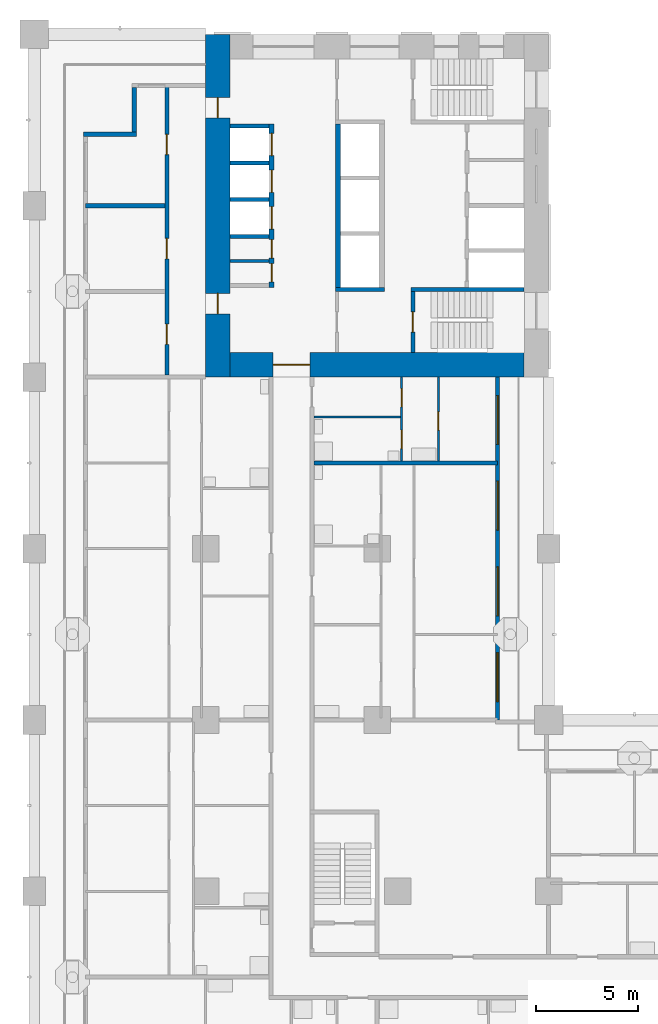
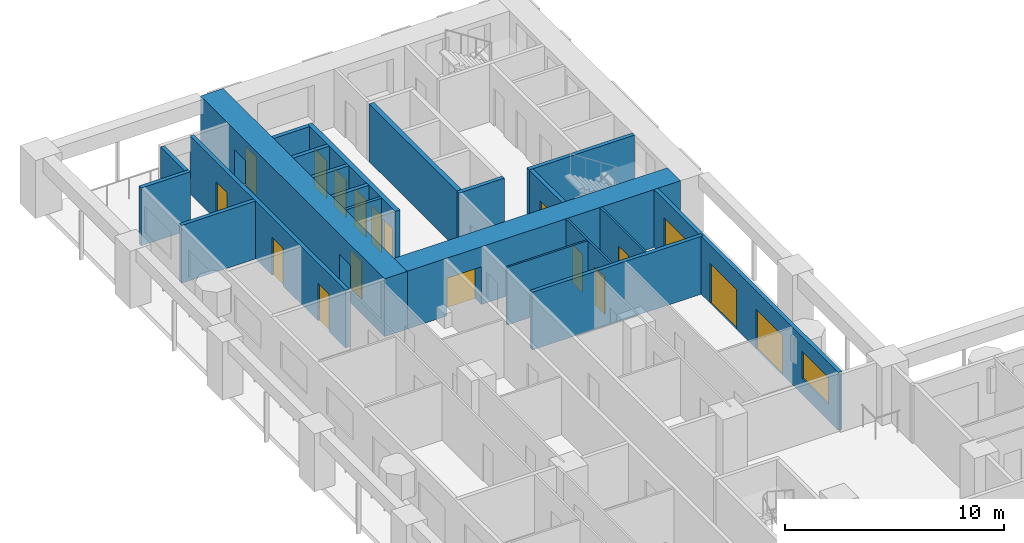
# One storey, part 8 of 20: 21 walls, 18 doors, 1 window, 19 openings.
"""IFC4 building model written with IfcOpenShell, lengths in metres."""

from ifc_helpers import new_model, si_unit, direction, frame, frame_2d, origin, place, context, subcontext, project, spatial, rectangle, extrude, material, layer, layer_set, type_object, element, fill, save


model = new_model("IFC4")

# Units and contexts
model_context = context("Model", 3, precision=1e-05, world=origin(), true_north=direction((0.0, 1.0)))
body_context = subcontext(model_context, "Body", "Model", "MODEL_VIEW")
ifc_project = project(units=[si_unit("LENGTHUNIT", "METRE"), si_unit("AREAUNIT", "SQUARE_METRE"), si_unit("VOLUMEUNIT", "CUBIC_METRE"), si_unit("PLANEANGLEUNIT", "RADIAN"), si_unit("MASSUNIT", "GRAM", prefix="KILO")], contexts=[model_context])

# Site, building, storey
site_placement = place(None, origin())
site = spatial("IfcSite", under=ifc_project, at=site_placement, CompositionType="ELEMENT")
building_placement = place(site_placement, origin())
building = spatial("IfcBuilding", under=site, at=building_placement, Name="Vermilion Gate Residences", CompositionType="ELEMENT")
storey_placement = place(building_placement, frame((0.0, 0.0, 39.199951171875)))
storey = spatial("IfcBuildingStorey", under=building, at=storey_placement, Name="L08", CompositionType="ELEMENT", Elevation=39.199951171875)

# Walls
ifc_material_1 = material(Name="Masonry blockwork", Category="masonry")
ifc_layer_1 = layer(ifc_material_1, 0.14990234375)
ifc_layer_set_1 = layer_set([ifc_layer_1], Name="BLOCKWORK PARTITION 150 EI 120")
wall_type_1 = type_object("IfcWallType", Name="BLOCKWORK PARTITION 150 EI 120", PredefinedType="PARTITIONING", material=ifc_layer_set_1)
wall_1_placement = place(storey_placement, frame((9.60009765625, 47.699951171875, 0.0), z_axis=(0.0, 0.0, 1.0), x_axis=(1.0, 0.0, 0.0)))
element("IfcWall", 1, at=wall_1_placement, inside=storey, type_object=wall_type_1, Name="Core room partition B08-SR-P0", PredefinedType="PARTITIONING", context=body_context, shape_type="SweptSolid", body=[
    extrude(rectangle(XDim=1.89990234375, YDim=0.14990234375, at=frame_2d((0.949951171875, 0.0))), origin(), (0.0, 0.0, 1.0), 3.219970703125),
])
ifc_material_2 = material(Name="Insulated steel stud wall with terracotta rainscreen", Category="masonry")
ifc_layer_2 = layer(ifc_material_2, 0.199951171875)
ifc_layer_set_2 = layer_set([ifc_layer_2], Name="EXTERNAL WALL 200 TERRACOTTA RAINSCREEN")
wall_type_2 = type_object("IfcWallType", Name="EXTERNAL WALL 200 TERRACOTTA RAINSCREEN", PredefinedType="SOLIDWALL", material=ifc_layer_set_2)
wall_2_placement = place(storey_placement, frame((4.89990234375, 56.199951171875, 0.0), z_axis=(0.0, 0.0, 1.0), x_axis=(0.0, -1.0, 0.0)))
element("IfcWall", 2, at=wall_2_placement, inside=storey, type_object=wall_type_2, Name="External wall", PredefinedType="SOLIDWALL", context=body_context, shape_type="SweptSolid", body=[
    extrude(rectangle(XDim=2.199951171875, YDim=0.199951171875, at=frame_2d((1.10009765625, 0.0))), origin(), (0.0, 0.0, 1.0), 3.219970703125),
])
wall_3_placement = place(storey_placement, frame((5.0, 53.89990234375, 0.0), z_axis=(0.0, 0.0, 1.0), x_axis=(-1.0, 0.0, 0.0)))
element("IfcWall", 3, at=wall_3_placement, inside=storey, type_object=wall_type_2, Name="External wall", PredefinedType="SOLIDWALL", context=body_context, shape_type="SweptSolid", body=[
    extrude(rectangle(XDim=2.60009765625, YDim=0.199951171875, at=frame_2d((1.300048828125, 0.0))), origin(), (0.0, 0.0, 1.0), 3.219970703125),
])

# Wall, openings, doors, window
wall_4_placement = place(storey_placement, frame((22.699951171875, 25.199951171875, 0.0), z_axis=(0.0, 0.0, 1.0), x_axis=(0.0, 1.0, 0.0)))
wall_4 = element("IfcWall", 4, at=wall_4_placement, inside=storey, type_object=wall_type_2, Name="External wall", PredefinedType="SOLIDWALL", context=body_context, shape_type="SweptSolid", body=[
    extrude(rectangle(XDim=16.800048828125, YDim=0.199951171875, at=frame_2d((8.39990234375, 0.0))), origin(), (0.0, 0.0, 1.0), 3.219970703125),
])
opening_1_placement = place(wall_4_placement, frame((0.89990234375, 0.0, 0.89990234375)))
opening_1 = element("IfcOpeningElement", 5, at=opening_1_placement, cuts=wall_4, Name="Opening WE08037", PredefinedType="OPENING", context=body_context, shape_type="SweptSolid", body=[
    extrude(rectangle(XDim=2.39990234375, YDim=1.5, at=frame_2d((1.199951171875, 0.75))), frame((0.0, 0.10986328125, 0.0), z_axis=(0.0, -1.0, 0.0), x_axis=(1.0, 0.0, 0.0)), (0.0, 0.0, 1.0), 0.219970703125),
])
opening_2_placement = place(wall_4_placement, frame((5.10009765625, 0.0, 0.0)))
opening_2 = element("IfcOpeningElement", 6, at=opening_2_placement, cuts=wall_4, Name="Opening DE08038", PredefinedType="OPENING", context=body_context, shape_type="SweptSolid", body=[
    extrude(rectangle(XDim=2.39990234375, YDim=2.199951171875, at=frame_2d((1.199951171875, 1.10009765625))), frame((0.0, 0.10986328125, 0.0), z_axis=(0.0, -1.0, 0.0), x_axis=(1.0, 0.0, 0.0)), (0.0, 0.0, 1.0), 0.219970703125),
])
opening_3_placement = place(wall_4_placement, frame((9.300048828125, 0.0, 0.0)))
opening_3 = element("IfcOpeningElement", 7, at=opening_3_placement, cuts=wall_4, Name="Opening DE08039", PredefinedType="OPENING", context=body_context, shape_type="SweptSolid", body=[
    extrude(rectangle(XDim=2.39990234375, YDim=2.199951171875, at=frame_2d((1.199951171875, 1.10009765625))), frame((0.0, 0.10986328125, 0.0), z_axis=(0.0, -1.0, 0.0), x_axis=(1.0, 0.0, 0.0)), (0.0, 0.0, 1.0), 0.219970703125),
])
opening_4_placement = place(wall_4_placement, frame((13.5, 0.0, 0.0)))
opening_4 = element("IfcOpeningElement", 8, at=opening_4_placement, cuts=wall_4, Name="Opening DE08040", PredefinedType="OPENING", context=body_context, shape_type="SweptSolid", body=[
    extrude(rectangle(XDim=2.39990234375, YDim=2.199951171875, at=frame_2d((1.199951171875, 1.10009765625))), frame((0.0, 0.10986328125, 0.0), z_axis=(0.0, -1.0, 0.0), x_axis=(1.0, 0.0, 0.0)), (0.0, 0.0, 1.0), 0.219970703125),
])
ifc_material_3 = material(Name="Aluminium and clear glass", Category="aluminium")
door_type_1 = type_object("IfcDoorType", Name="SLIDING GLAZED DOOR 2400 X 2200", OperationType="DOUBLE_DOOR_SLIDING", PredefinedType="DOOR", material=ifc_material_3)
door_1_placement = place(opening_2_placement, origin())
door_1 = element("IfcDoor", 9, at=door_1_placement, inside=storey, type_object=door_type_1, Name="Loggia sliding door", OperationType="DOUBLE_DOOR_SLIDING", OverallHeight=2.199951171875, OverallWidth=2.39990234375, PredefinedType="DOOR", context=body_context, shape_type="SweptSolid", body=[
    extrude(rectangle(XDim=2.39990234375, YDim=2.199951171875, at=frame_2d((1.199951171875, 1.10009765625))), frame((0.0, 0.02490234375, 0.0), z_axis=(0.0, -1.0, 0.0), x_axis=(1.0, 0.0, 0.0)), (0.0, 0.0, 1.0), 0.050048828125),
])
fill(opening_2, door_1)
door_2_placement = place(opening_3_placement, origin())
door_2 = element("IfcDoor", 10, at=door_2_placement, inside=storey, type_object=door_type_1, Name="Loggia sliding door", OperationType="DOUBLE_DOOR_SLIDING", OverallHeight=2.199951171875, OverallWidth=2.39990234375, PredefinedType="DOOR", context=body_context, shape_type="SweptSolid", body=[
    extrude(rectangle(XDim=2.39990234375, YDim=2.199951171875, at=frame_2d((1.199951171875, 1.10009765625))), frame((0.0, 0.02490234375, 0.0), z_axis=(0.0, -1.0, 0.0), x_axis=(1.0, 0.0, 0.0)), (0.0, 0.0, 1.0), 0.050048828125),
])
fill(opening_3, door_2)
door_3_placement = place(opening_4_placement, origin())
door_3 = element("IfcDoor", 11, at=door_3_placement, inside=storey, type_object=door_type_1, Name="Loggia sliding door", OperationType="DOUBLE_DOOR_SLIDING", OverallHeight=2.199951171875, OverallWidth=2.39990234375, PredefinedType="DOOR", context=body_context, shape_type="SweptSolid", body=[
    extrude(rectangle(XDim=2.39990234375, YDim=2.199951171875, at=frame_2d((1.199951171875, 1.10009765625))), frame((0.0, 0.02490234375, 0.0), z_axis=(0.0, -1.0, 0.0), x_axis=(1.0, 0.0, 0.0)), (0.0, 0.0, 1.0), 0.050048828125),
])
fill(opening_4, door_3)
ifc_material_4 = material(Name="Aluminium and clear glass", Category="aluminium")
window_type = type_object("IfcWindowType", Name="WINDOW 2400 X 1500", PartitioningType="SINGLE_PANEL", PredefinedType="WINDOW", material=ifc_material_4)
window_placement = place(opening_1_placement, origin())
window = element("IfcWindow", 12, at=window_placement, inside=storey, type_object=window_type, Name="Window", OverallHeight=1.5, OverallWidth=2.39990234375, PartitioningType="SINGLE_PANEL", PredefinedType="WINDOW", context=body_context, shape_type="SweptSolid", body=[
    extrude(rectangle(XDim=2.39990234375, YDim=1.5, at=frame_2d((1.199951171875, 0.75))), frame((0.0, 0.030029296875, 0.0), z_axis=(0.0, -1.0, 0.0), x_axis=(1.0, 0.0, 0.0)), (0.0, 0.0, 1.0), 0.06005859375),
])
fill(opening_1, window)

# Wall
ifc_material_5 = material(Name="Plasterboard on steel studs", Category="steel")
ifc_layer_3 = layer(ifc_material_5, 0.10009765625)
ifc_layer_set_3 = layer_set([ifc_layer_3], Name="PARTITION 100")
wall_type_3 = type_object("IfcWallType", Name="PARTITION 100", PredefinedType="PARTITIONING", material=ifc_layer_set_3)
wall_5_placement = place(storey_placement, frame((13.699951171875, 40.0400390625, 0.0), z_axis=(0.0, 0.0, 1.0), x_axis=(1.0, 0.0, 0.0)))
element("IfcWall", 13, at=wall_5_placement, inside=storey, type_object=wall_type_3, Name="Partition", PredefinedType="PARTITIONING", context=body_context, shape_type="SweptSolid", body=[
    extrude(rectangle(XDim=4.25, YDim=0.10009765625, at=frame_2d((2.125, 0.0))), origin(), (0.0, 0.0, 1.0), 3.219970703125),
])

# Wall, openings, doors
wall_6_placement = place(storey_placement, frame((18.0, 37.89990234375, 0.0), z_axis=(0.0, 0.0, 1.0), x_axis=(0.0, 1.0, 0.0)))
wall_6 = element("IfcWall", 14, at=wall_6_placement, inside=storey, type_object=wall_type_3, Name="Partition", PredefinedType="PARTITIONING", context=body_context, shape_type="SweptSolid", body=[
    extrude(rectangle(XDim=4.10009765625, YDim=0.10009765625, at=frame_2d((2.050048828125, 0.0))), origin(), (0.0, 0.0, 1.0), 3.219970703125),
])
opening_5_placement = place(wall_6_placement, frame((2.639892578125, 0.0, 0.0)))
opening_5 = element("IfcOpeningElement", 15, at=opening_5_placement, cuts=wall_6, Name="Opening DA07060", PredefinedType="OPENING", context=body_context, shape_type="SweptSolid", body=[
    extrude(rectangle(XDim=0.89990234375, YDim=2.10009765625, at=frame_2d((0.449951171875, 1.050048828125))), frame((0.0, 0.06005859375, 0.0), z_axis=(0.0, -1.0, 0.0), x_axis=(1.0, 0.0, 0.0)), (0.0, 0.0, 1.0), 0.1201171875),
])
opening_6_placement = place(wall_6_placement, frame((0.60009765625, 0.0, 0.0)))
opening_6 = element("IfcOpeningElement", 16, at=opening_6_placement, cuts=wall_6, Name="Opening DA07061", PredefinedType="OPENING", context=body_context, shape_type="SweptSolid", body=[
    extrude(rectangle(XDim=0.89990234375, YDim=2.10009765625, at=frame_2d((0.449951171875, 1.050048828125))), frame((0.0, 0.06005859375, 0.0), z_axis=(0.0, -1.0, 0.0), x_axis=(1.0, 0.0, 0.0)), (0.0, 0.0, 1.0), 0.1201171875),
])
ifc_material_6 = material(Name="Timber", Category="wood")
door_type_2 = type_object("IfcDoorType", Name="INTERIOR DOOR 900 X 2100", OperationType="SINGLE_SWING_LEFT", PredefinedType="DOOR", material=ifc_material_6)
door_4_placement = place(opening_5_placement, frame((0.89990234375, 0.0, 0.0), z_axis=(0.0, 0.0, 1.0), x_axis=(-1.0, 0.0, 0.0)))
door_4 = element("IfcDoor", 17, at=door_4_placement, inside=storey, type_object=door_type_2, Name="Interior door", OperationType="SINGLE_SWING_LEFT", OverallHeight=2.10009765625, OverallWidth=0.89990234375, PredefinedType="DOOR", context=body_context, shape_type="SweptSolid", body=[
    extrude(rectangle(XDim=0.89990234375, YDim=2.10009765625, at=frame_2d((0.449951171875, 1.050048828125))), frame((0.0, 0.02490234375, 0.0), z_axis=(0.0, -1.0, 0.0), x_axis=(1.0, 0.0, 0.0)), (0.0, 0.0, 1.0), 0.050048828125),
])
fill(opening_5, door_4)
door_5_placement = place(opening_6_placement, frame((0.89990234375, 0.0, 0.0), z_axis=(0.0, 0.0, 1.0), x_axis=(-1.0, 0.0, 0.0)))
door_5 = element("IfcDoor", 18, at=door_5_placement, inside=storey, type_object=door_type_2, Name="Interior door", OperationType="SINGLE_SWING_RIGHT", OverallHeight=2.10009765625, OverallWidth=0.89990234375, PredefinedType="DOOR", context=body_context, shape_type="SweptSolid", body=[
    extrude(rectangle(XDim=0.89990234375, YDim=2.10009765625, at=frame_2d((0.449951171875, 1.050048828125))), frame((0.0, 0.02490234375, 0.0), z_axis=(0.0, -1.0, 0.0), x_axis=(1.0, 0.0, 0.0)), (0.0, 0.0, 1.0), 0.050048828125),
])
fill(opening_6, door_5)

# Wall, opening, door
wall_7_placement = place(storey_placement, frame((19.800048828125, 37.89990234375, 0.0), z_axis=(0.0, 0.0, 1.0), x_axis=(0.0, 1.0, 0.0)))
wall_7 = element("IfcWall", 19, at=wall_7_placement, inside=storey, type_object=wall_type_3, Name="Partition", PredefinedType="PARTITIONING", context=body_context, shape_type="SweptSolid", body=[
    extrude(rectangle(XDim=4.10009765625, YDim=0.10009765625, at=frame_2d((2.050048828125, 0.0))), origin(), (0.0, 0.0, 1.0), 3.219970703125),
])
opening_7_placement = place(wall_7_placement, frame((1.5, 0.0, 0.0)))
opening_7 = element("IfcOpeningElement", 20, at=opening_7_placement, cuts=wall_7, Name="Opening DA07064", PredefinedType="OPENING", context=body_context, shape_type="SweptSolid", body=[
    extrude(rectangle(XDim=0.89990234375, YDim=2.10009765625, at=frame_2d((0.449951171875, 1.050048828125))), frame((0.0, 0.06005859375, 0.0), z_axis=(0.0, -1.0, 0.0), x_axis=(1.0, 0.0, 0.0)), (0.0, 0.0, 1.0), 0.1201171875),
])
door_6_placement = place(opening_7_placement, origin())
door_6 = element("IfcDoor", 21, at=door_6_placement, inside=storey, type_object=door_type_2, Name="Interior door", OperationType="SINGLE_SWING_LEFT", OverallHeight=2.10009765625, OverallWidth=0.89990234375, PredefinedType="DOOR", context=body_context, shape_type="SweptSolid", body=[
    extrude(rectangle(XDim=0.89990234375, YDim=2.10009765625, at=frame_2d((0.449951171875, 1.050048828125))), frame((0.0, 0.02490234375, 0.0), z_axis=(0.0, -1.0, 0.0), x_axis=(1.0, 0.0, 0.0)), (0.0, 0.0, 1.0), 0.050048828125),
])
fill(opening_7, door_6)

# Walls
ifc_material_7 = material(Name="Fire-rated plasterboard on steel studs", Category="steel")
ifc_layer_4 = layer(ifc_material_7, 0.199951171875)
ifc_layer_set_4 = layer_set([ifc_layer_4], Name="PARTY WALL 200 EI 120")
wall_type_4 = type_object("IfcWallType", Name="PARTY WALL 200 EI 120", PredefinedType="PARTITIONING", material=ifc_layer_set_4)
wall_8_placement = place(storey_placement, frame((13.699951171875, 37.800048828125, 0.0), z_axis=(0.0, 0.0, 1.0), x_axis=(1.0, 0.0, 0.0)))
element("IfcWall", 22, at=wall_8_placement, inside=storey, type_object=wall_type_4, Name="Party and corridor wall", PredefinedType="PARTITIONING", context=body_context, shape_type="SweptSolid", body=[
    extrude(rectangle(XDim=9.0, YDim=0.199951171875, at=frame_2d((4.5, 0.0))), origin(), (0.0, 0.0, 1.0), 3.219970703125),
])
wall_9_placement = place(storey_placement, frame((2.5, 50.39990234375, 0.0), z_axis=(0.0, 0.0, 1.0), x_axis=(1.0, 0.0, 0.0)))
element("IfcWall", 23, at=wall_9_placement, inside=storey, type_object=wall_type_4, Name="Party and corridor wall", PredefinedType="PARTITIONING", context=body_context, shape_type="SweptSolid", body=[
    extrude(rectangle(XDim=3.89990234375, YDim=0.199951171875, at=frame_2d((1.949951171875, 0.0))), origin(), (0.0, 0.0, 1.0), 3.219970703125),
])

# Wall, openings, doors
wall_10_placement = place(storey_placement, frame((6.5, 42.10009765625, 0.0), z_axis=(0.0, 0.0, 1.0), x_axis=(0.0, 1.0, 0.0)))
wall_10 = element("IfcWall", 24, at=wall_10_placement, inside=storey, type_object=wall_type_4, Name="Party and corridor wall", PredefinedType="PARTITIONING", context=body_context, shape_type="SweptSolid", body=[
    extrude(rectangle(XDim=14.199951171875, YDim=0.199951171875, at=frame_2d((7.10009765625, 0.0))), origin(), (0.0, 0.0, 1.0), 3.219970703125),
])
opening_8_placement = place(wall_10_placement, frame((1.5, 0.0, 0.0)))
opening_8 = element("IfcOpeningElement", 25, at=opening_8_placement, cuts=wall_10, Name="Opening DA07036", PredefinedType="OPENING", context=body_context, shape_type="SweptSolid", body=[
    extrude(rectangle(XDim=1.0, YDim=2.10009765625, at=frame_2d((0.5, 1.050048828125))), frame((0.0, 0.10986328125, 0.0), z_axis=(0.0, -1.0, 0.0), x_axis=(1.0, 0.0, 0.0)), (0.0, 0.0, 1.0), 0.219970703125),
])
opening_9_placement = place(wall_10_placement, frame((5.699951171875, 0.0, 0.0)))
opening_9 = element("IfcOpeningElement", 26, at=opening_9_placement, cuts=wall_10, Name="Opening DA07037", PredefinedType="OPENING", context=body_context, shape_type="SweptSolid", body=[
    extrude(rectangle(XDim=1.0, YDim=2.10009765625, at=frame_2d((0.5, 1.050048828125))), frame((0.0, 0.10986328125, 0.0), z_axis=(0.0, -1.0, 0.0), x_axis=(1.0, 0.0, 0.0)), (0.0, 0.0, 1.0), 0.219970703125),
])
opening_10_placement = place(wall_10_placement, frame((10.800048828125, 0.0, 0.0)))
opening_10 = element("IfcOpeningElement", 27, at=opening_10_placement, cuts=wall_10, Name="Opening DA07038", PredefinedType="OPENING", context=body_context, shape_type="SweptSolid", body=[
    extrude(rectangle(XDim=1.0, YDim=2.10009765625, at=frame_2d((0.5, 1.050048828125))), frame((0.0, 0.10986328125, 0.0), z_axis=(0.0, -1.0, 0.0), x_axis=(1.0, 0.0, 0.0)), (0.0, 0.0, 1.0), 0.219970703125),
])
ifc_material_8 = material(Name="Steel", Category="steel")
door_type_3 = type_object("IfcDoorType", Name="ENTRANCE DOOR 1000 X 2100 FD30", OperationType="SINGLE_SWING_LEFT", PredefinedType="DOOR", material=ifc_material_8)
door_7_placement = place(opening_8_placement, origin())
door_7 = element("IfcDoor", 28, at=door_7_placement, inside=storey, type_object=door_type_3, Name="Entrance door", OperationType="SINGLE_SWING_LEFT", OverallHeight=2.10009765625, OverallWidth=1.0, PredefinedType="DOOR", context=body_context, shape_type="SweptSolid", body=[
    extrude(rectangle(XDim=1.0, YDim=2.10009765625, at=frame_2d((0.5, 1.050048828125))), frame((0.0, 0.02490234375, 0.0), z_axis=(0.0, -1.0, 0.0), x_axis=(1.0, 0.0, 0.0)), (0.0, 0.0, 1.0), 0.050048828125),
])
fill(opening_8, door_7)
door_8_placement = place(opening_9_placement, origin())
door_8 = element("IfcDoor", 29, at=door_8_placement, inside=storey, type_object=door_type_3, Name="Entrance door", OperationType="SINGLE_SWING_RIGHT", OverallHeight=2.10009765625, OverallWidth=1.0, PredefinedType="DOOR", context=body_context, shape_type="SweptSolid", body=[
    extrude(rectangle(XDim=1.0, YDim=2.10009765625, at=frame_2d((0.5, 1.050048828125))), frame((0.0, 0.02490234375, 0.0), z_axis=(0.0, -1.0, 0.0), x_axis=(1.0, 0.0, 0.0)), (0.0, 0.0, 1.0), 0.050048828125),
])
fill(opening_9, door_8)
door_9_placement = place(opening_10_placement, origin())
door_9 = element("IfcDoor", 30, at=door_9_placement, inside=storey, type_object=door_type_3, Name="Entrance door", OperationType="SINGLE_SWING_RIGHT", OverallHeight=2.10009765625, OverallWidth=1.0, PredefinedType="DOOR", context=body_context, shape_type="SweptSolid", body=[
    extrude(rectangle(XDim=1.0, YDim=2.10009765625, at=frame_2d((0.5, 1.050048828125))), frame((0.0, 0.02490234375, 0.0), z_axis=(0.0, -1.0, 0.0), x_axis=(1.0, 0.0, 0.0)), (0.0, 0.0, 1.0), 0.050048828125),
])
fill(opening_10, door_9)

# Walls
ifc_material_9 = material(Name="Concrete C60", Category="concrete")
ifc_layer_5 = layer(ifc_material_9, 0.199951171875)
ifc_layer_set_5 = layer_set([ifc_layer_5], Name="RC CORE INTERNAL WALL 200 C60")
wall_type_5 = type_object("IfcWallType", Name="RC CORE INTERNAL WALL 200 C60", PredefinedType="SHEAR", material=ifc_layer_set_5)
for number, where, z_axis, x_axis, name in (
    (31, (9.60009765625, 54.300048828125, 0.0), (0.0, 0.0, 1.0), (1.0, 0.0, 0.0), "Core internal wall B08-LR-D0"),
    (32, (9.60009765625, 52.5, 0.0), (0.0, 0.0, 1.0), (1.0, 0.0, 0.0), "Core internal wall B08-LR-D1"),
    (33, (9.60009765625, 50.699951171875, 0.0), (0.0, 0.0, 1.0), (1.0, 0.0, 0.0), "Core internal wall B08-LR-D2"),
    (34, (9.60009765625, 48.89990234375, 0.0), (0.0, 0.0, 1.0), (1.0, 0.0, 0.0), "Core internal wall B08-LR-D3"),
):
    element("IfcWall", number, at=place(storey_placement, frame(where, z_axis=z_axis, x_axis=x_axis)), inside=storey, type_object=wall_type_5, Name=name, PredefinedType="SHEAR", context=body_context, shape_type="SweptSolid", body=[
        extrude(rectangle(XDim=1.89990234375, YDim=0.199951171875, at=frame_2d((0.949951171875, 0.0))), origin(), (0.0, 0.0, 1.0), 3.219970703125),
    ])
wall_11_placement = place(storey_placement, frame((14.75, 46.300048828125, 0.0), z_axis=(0.0, 0.0, 1.0), x_axis=(1.0, 0.0, 0.0)))
element("IfcWall", 35, at=wall_11_placement, inside=storey, type_object=wall_type_5, Name="Core internal wall B08-EDIV1", PredefinedType="SHEAR", context=body_context, shape_type="SweptSolid", body=[
    extrude(rectangle(XDim=2.39990234375, YDim=0.199951171875, at=frame_2d((1.199951171875, 0.0))), origin(), (0.0, 0.0, 1.0), 3.219970703125),
])
wall_12_placement = place(storey_placement, frame((18.449951171875, 46.300048828125, 0.0), z_axis=(0.0, 0.0, 1.0), x_axis=(1.0, 0.0, 0.0)))
element("IfcWall", 36, at=wall_12_placement, inside=storey, type_object=wall_type_5, Name="Core internal wall B08-EDIV2", PredefinedType="SHEAR", context=body_context, shape_type="SweptSolid", body=[
    extrude(rectangle(XDim=5.550048828125, YDim=0.199951171875, at=frame_2d((2.77490234375, 0.0))), origin(), (0.0, 0.0, 1.0), 3.219970703125),
])

# Wall, opening, door
wall_13_placement = place(storey_placement, frame((18.550048828125, 46.199951171875, 0.0), z_axis=(0.0, 0.0, 1.0), x_axis=(0.0, -1.0, 0.0)))
wall_13 = element("IfcWall", 37, at=wall_13_placement, inside=storey, type_object=wall_type_5, Name="Core internal wall B08-STE-S", PredefinedType="SHEAR", context=body_context, shape_type="SweptSolid", body=[
    extrude(rectangle(XDim=3.0, YDim=0.199951171875, at=frame_2d((1.5, 0.0))), origin(), (0.0, 0.0, 1.0), 3.219970703125),
])
opening_11_placement = place(wall_13_placement, frame((1.0, 0.0, 0.0)))
opening_11 = element("IfcOpeningElement", 38, at=opening_11_placement, cuts=wall_13, Name="Opening DK08116", PredefinedType="OPENING", context=body_context, shape_type="SweptSolid", body=[
    extrude(rectangle(XDim=1.0, YDim=2.10009765625, at=frame_2d((0.5, 1.050048828125))), frame((0.0, 0.10986328125, 0.0), z_axis=(0.0, -1.0, 0.0), x_axis=(1.0, 0.0, 0.0)), (0.0, 0.0, 1.0), 0.219970703125),
])
ifc_material_10 = material(Name="Steel", Category="steel")
door_type_4 = type_object("IfcDoorType", Name="FIRE DOOR FD60 1000 X 2100", OperationType="SINGLE_SWING_LEFT", PredefinedType="DOOR", material=ifc_material_10)
door_10_placement = place(opening_11_placement, origin())
door_10 = element("IfcDoor", 39, at=door_10_placement, inside=storey, type_object=door_type_4, Name="Stair door B08", OperationType="SINGLE_SWING_LEFT", OverallHeight=2.10009765625, OverallWidth=1.0, PredefinedType="DOOR", context=body_context, shape_type="SweptSolid", body=[
    extrude(rectangle(XDim=1.0, YDim=2.10009765625, at=frame_2d((0.5, 1.050048828125))), frame((0.0, 0.02490234375, 0.0), z_axis=(0.0, -1.0, 0.0), x_axis=(1.0, 0.0, 0.0)), (0.0, 0.0, 1.0), 0.050048828125),
])
fill(opening_11, door_10)

# Wall, openings, doors
ifc_material_11 = material(Name="Concrete C80", Category="concrete")
ifc_layer_6 = layer(ifc_material_11, 1.199951171875)
ifc_layer_set_6 = layer_set([ifc_layer_6], Name="RC CORE WALL 1200 C80")
wall_type_6 = type_object("IfcWallType", Name="RC CORE WALL 1200 C80", PredefinedType="SHEAR", material=ifc_layer_set_6)
wall_14_placement = place(storey_placement, frame((9.0, 58.800048828125, 0.0), z_axis=(0.0, 0.0, 1.0), x_axis=(0.0, -1.0, 0.0)))
wall_14 = element("IfcWall", 40, at=wall_14_placement, inside=storey, type_object=wall_type_6, Name="Core wall B08-OUT-B0", PredefinedType="SHEAR", context=body_context, shape_type="SweptSolid", body=[
    extrude(rectangle(XDim=16.800048828125, YDim=1.199951171875, at=frame_2d((8.39990234375, 0.0))), origin(), (0.0, 0.0, 1.0), 3.219970703125),
])
opening_12_placement = place(wall_14_placement, frame((3.10009765625, 0.0, 0.0)))
opening_12 = element("IfcOpeningElement", 41, at=opening_12_placement, cuts=wall_14, Name="Opening DK08101", PredefinedType="OPENING", context=body_context, shape_type="SweptSolid", body=[
    extrude(rectangle(XDim=1.0, YDim=2.10009765625, at=frame_2d((0.5, 1.050048828125))), frame((0.0, 0.60986328125, 0.0), z_axis=(0.0, -1.0, 0.0), x_axis=(1.0, 0.0, 0.0)), (0.0, 0.0, 1.0), 1.219970703125),
])
opening_13_placement = place(wall_14_placement, frame((12.699951171875, 0.0, 0.0)))
opening_13 = element("IfcOpeningElement", 42, at=opening_13_placement, cuts=wall_14, Name="Opening DK08102", PredefinedType="OPENING", context=body_context, shape_type="SweptSolid", body=[
    extrude(rectangle(XDim=1.0, YDim=2.10009765625, at=frame_2d((0.5, 1.050048828125))), frame((0.0, 0.60986328125, 0.0), z_axis=(0.0, -1.0, 0.0), x_axis=(1.0, 0.0, 0.0)), (0.0, 0.0, 1.0), 1.219970703125),
])
door_11_placement = place(opening_12_placement, origin())
door_11 = element("IfcDoor", 43, at=door_11_placement, inside=storey, type_object=door_type_4, Name="Core lobby side door B08", OperationType="SINGLE_SWING_RIGHT", OverallHeight=2.10009765625, OverallWidth=1.0, PredefinedType="DOOR", context=body_context, shape_type="SweptSolid", body=[
    extrude(rectangle(XDim=1.0, YDim=2.10009765625, at=frame_2d((0.5, 1.050048828125))), frame((0.0, 0.02490234375, 0.0), z_axis=(0.0, -1.0, 0.0), x_axis=(1.0, 0.0, 0.0)), (0.0, 0.0, 1.0), 0.050048828125),
])
fill(opening_12, door_11)
door_12_placement = place(opening_13_placement, origin())
door_12 = element("IfcDoor", 44, at=door_12_placement, inside=storey, type_object=door_type_4, Name="Core lobby side door B08", OperationType="SINGLE_SWING_LEFT", OverallHeight=2.10009765625, OverallWidth=1.0, PredefinedType="DOOR", context=body_context, shape_type="SweptSolid", body=[
    extrude(rectangle(XDim=1.0, YDim=2.10009765625, at=frame_2d((0.5, 1.050048828125))), frame((0.0, 0.02490234375, 0.0), z_axis=(0.0, -1.0, 0.0), x_axis=(1.0, 0.0, 0.0)), (0.0, 0.0, 1.0), 0.050048828125),
])
fill(opening_13, door_12)

# Wall, opening, door
wall_15_placement = place(storey_placement, frame((9.60009765625, 42.60009765625, 0.0), z_axis=(0.0, 0.0, 1.0), x_axis=(1.0, 0.0, 0.0)))
wall_15 = element("IfcWall", 45, at=wall_15_placement, inside=storey, type_object=wall_type_6, Name="Core wall B08-OUT-BK", PredefinedType="SHEAR", context=body_context, shape_type="SweptSolid", body=[
    extrude(rectangle(XDim=14.39990234375, YDim=1.199951171875, at=frame_2d((7.199951171875, 0.0))), origin(), (0.0, 0.0, 1.0), 3.219970703125),
])
opening_14_placement = place(wall_15_placement, frame((2.10009765625, 0.0, 0.0)))
opening_14 = element("IfcOpeningElement", 46, at=opening_14_placement, cuts=wall_15, Name="Opening DK08103", PredefinedType="OPENING", context=body_context, shape_type="SweptSolid", body=[
    extrude(rectangle(XDim=1.800048828125, YDim=2.10009765625, at=frame_2d((0.89990234375, 1.050048828125))), frame((0.0, 0.60986328125, 0.0), z_axis=(0.0, -1.0, 0.0), x_axis=(1.0, 0.0, 0.0)), (0.0, 0.0, 1.0), 1.219970703125),
])
ifc_material_12 = material(Name="Steel", Category="steel")
door_type_5 = type_object("IfcDoorType", Name="CORE LOBBY DOOR FD60 1800 X 2100", OperationType="DOUBLE_DOOR_SINGLE_SWING", PredefinedType="DOOR", material=ifc_material_12)
door_13_placement = place(opening_14_placement, origin())
door_13 = element("IfcDoor", 47, at=door_13_placement, inside=storey, type_object=door_type_5, Name="Core lobby door B08", OperationType="DOUBLE_DOOR_SINGLE_SWING", OverallHeight=2.10009765625, OverallWidth=1.800048828125, PredefinedType="DOOR", context=body_context, shape_type="SweptSolid", body=[
    extrude(rectangle(XDim=1.800048828125, YDim=2.10009765625, at=frame_2d((0.89990234375, 1.050048828125))), frame((0.0, 0.02490234375, 0.0), z_axis=(0.0, -1.0, 0.0), x_axis=(1.0, 0.0, 0.0)), (0.0, 0.0, 1.0), 0.050048828125),
])
fill(opening_14, door_13)

# Wall, openings, doors
ifc_material_13 = material(Name="Concrete C60", Category="concrete")
ifc_layer_7 = layer(ifc_material_13, 0.25)
ifc_layer_set_7 = layer_set([ifc_layer_7], Name="RC LIFT SHAFT WALL 250 C60")
wall_type_7 = type_object("IfcWallType", Name="RC LIFT SHAFT WALL 250 C60", PredefinedType="SHEAR", material=ifc_layer_set_7)
wall_16_placement = place(storey_placement, frame((11.625, 54.39990234375, 0.0), z_axis=(0.0, 0.0, 1.0), x_axis=(0.0, -1.0, 0.0)))
wall_16 = element("IfcWall", 48, at=wall_16_placement, inside=storey, type_object=wall_type_7, Name="Lift shaft wall B08-LR-F", PredefinedType="SHEAR", context=body_context, shape_type="SweptSolid", body=[
    extrude(rectangle(XDim=8.0, YDim=0.25, at=frame_2d((4.0, 0.0))), origin(), (0.0, 0.0, 1.0), 3.219970703125),
])
opening_15_placement = place(wall_16_placement, frame((0.449951171875, 0.0, 0.0)))
opening_15 = element("IfcOpeningElement", 49, at=opening_15_placement, cuts=wall_16, Name="Opening LD", PredefinedType="OPENING", context=body_context, shape_type="SweptSolid", body=[
    extrude(rectangle(XDim=1.10009765625, YDim=2.10009765625, at=frame_2d((0.550048828125, 1.050048828125))), frame((0.0, 0.135009765625, 0.0), z_axis=(0.0, -1.0, 0.0), x_axis=(1.0, 0.0, 0.0)), (0.0, 0.0, 1.0), 0.27001953125),
])
opening_16_placement = place(wall_16_placement, frame((2.25, 0.0, 0.0)))
opening_16 = element("IfcOpeningElement", 50, at=opening_16_placement, cuts=wall_16, Name="Opening LD", PredefinedType="OPENING", context=body_context, shape_type="SweptSolid", body=[
    extrude(rectangle(XDim=1.10009765625, YDim=2.10009765625, at=frame_2d((0.550048828125, 1.050048828125))), frame((0.0, 0.135009765625, 0.0), z_axis=(0.0, -1.0, 0.0), x_axis=(1.0, 0.0, 0.0)), (0.0, 0.0, 1.0), 0.27001953125),
])
opening_17_placement = place(wall_16_placement, frame((4.050048828125, 0.0, 0.0)))
opening_17 = element("IfcOpeningElement", 51, at=opening_17_placement, cuts=wall_16, Name="Opening LD", PredefinedType="OPENING", context=body_context, shape_type="SweptSolid", body=[
    extrude(rectangle(XDim=1.10009765625, YDim=2.10009765625, at=frame_2d((0.550048828125, 1.050048828125))), frame((0.0, 0.135009765625, 0.0), z_axis=(0.0, -1.0, 0.0), x_axis=(1.0, 0.0, 0.0)), (0.0, 0.0, 1.0), 0.27001953125),
])
opening_18_placement = place(wall_16_placement, frame((5.66259765625, 0.0, 0.0)))
opening_18 = element("IfcOpeningElement", 52, at=opening_18_placement, cuts=wall_16, Name="Opening DK08107", PredefinedType="OPENING", context=body_context, shape_type="SweptSolid", body=[
    extrude(rectangle(XDim=0.89990234375, YDim=2.10009765625, at=frame_2d((0.449951171875, 1.050048828125))), frame((0.0, 0.135009765625, 0.0), z_axis=(0.0, -1.0, 0.0), x_axis=(1.0, 0.0, 0.0)), (0.0, 0.0, 1.0), 0.27001953125),
])
opening_19_placement = place(wall_16_placement, frame((6.83740234375, 0.0, 0.0)))
opening_19 = element("IfcOpeningElement", 53, at=opening_19_placement, cuts=wall_16, Name="Opening DK08108", PredefinedType="OPENING", context=body_context, shape_type="SweptSolid", body=[
    extrude(rectangle(XDim=0.89990234375, YDim=2.10009765625, at=frame_2d((0.449951171875, 1.050048828125))), frame((0.0, 0.135009765625, 0.0), z_axis=(0.0, -1.0, 0.0), x_axis=(1.0, 0.0, 0.0)), (0.0, 0.0, 1.0), 0.27001953125),
])
ifc_material_14 = material(Name="Stainless steel", Category="steel")
door_type_6 = type_object("IfcDoorType", Name="LIFT LANDING DOOR E60 1100 X 2100", OperationType="DOUBLE_DOOR_SLIDING", PredefinedType="DOOR", material=ifc_material_14)
door_14_placement = place(opening_15_placement, origin())
door_14 = element("IfcDoor", 54, at=door_14_placement, inside=storey, type_object=door_type_6, Name="Lift landing door LRB1", OperationType="DOUBLE_DOOR_SLIDING", OverallHeight=2.10009765625, OverallWidth=1.10009765625, PredefinedType="DOOR", context=body_context, shape_type="SweptSolid", body=[
    extrude(rectangle(XDim=1.10009765625, YDim=2.10009765625, at=frame_2d((0.550048828125, 1.050048828125))), frame((0.0, 0.02490234375, 0.0), z_axis=(0.0, -1.0, 0.0), x_axis=(1.0, 0.0, 0.0)), (0.0, 0.0, 1.0), 0.050048828125),
])
fill(opening_15, door_14)
door_15_placement = place(opening_16_placement, origin())
door_15 = element("IfcDoor", 55, at=door_15_placement, inside=storey, type_object=door_type_6, Name="Lift landing door LRB2", OperationType="DOUBLE_DOOR_SLIDING", OverallHeight=2.10009765625, OverallWidth=1.10009765625, PredefinedType="DOOR", context=body_context, shape_type="SweptSolid", body=[
    extrude(rectangle(XDim=1.10009765625, YDim=2.10009765625, at=frame_2d((0.550048828125, 1.050048828125))), frame((0.0, 0.02490234375, 0.0), z_axis=(0.0, -1.0, 0.0), x_axis=(1.0, 0.0, 0.0)), (0.0, 0.0, 1.0), 0.050048828125),
])
fill(opening_16, door_15)
door_16_placement = place(opening_17_placement, origin())
door_16 = element("IfcDoor", 56, at=door_16_placement, inside=storey, type_object=door_type_6, Name="Lift landing door LRB3", OperationType="DOUBLE_DOOR_SLIDING", OverallHeight=2.10009765625, OverallWidth=1.10009765625, PredefinedType="DOOR", context=body_context, shape_type="SweptSolid", body=[
    extrude(rectangle(XDim=1.10009765625, YDim=2.10009765625, at=frame_2d((0.550048828125, 1.050048828125))), frame((0.0, 0.02490234375, 0.0), z_axis=(0.0, -1.0, 0.0), x_axis=(1.0, 0.0, 0.0)), (0.0, 0.0, 1.0), 0.050048828125),
])
fill(opening_17, door_16)
ifc_material_15 = material(Name="Steel", Category="steel")
door_type_7 = type_object("IfcDoorType", Name="SERVICE ROOM DOOR FD60 900 X 2100", OperationType="SINGLE_SWING_LEFT", PredefinedType="DOOR", material=ifc_material_15)
door_17_placement = place(opening_18_placement, frame((0.89990234375, 0.0, 0.0), z_axis=(0.0, 0.0, 1.0), x_axis=(-1.0, 0.0, 0.0)))
door_17 = element("IfcDoor", 57, at=door_17_placement, inside=storey, type_object=door_type_7, Name="Refuse room B08", OperationType="SINGLE_SWING_LEFT", OverallHeight=2.10009765625, OverallWidth=0.89990234375, PredefinedType="DOOR", context=body_context, shape_type="SweptSolid", body=[
    extrude(rectangle(XDim=0.89990234375, YDim=2.10009765625, at=frame_2d((0.449951171875, 1.050048828125))), frame((0.0, 0.02490234375, 0.0), z_axis=(0.0, -1.0, 0.0), x_axis=(1.0, 0.0, 0.0)), (0.0, 0.0, 1.0), 0.050048828125),
])
fill(opening_18, door_17)
door_18_placement = place(opening_19_placement, frame((0.89990234375, 0.0, 0.0), z_axis=(0.0, 0.0, 1.0), x_axis=(-1.0, 0.0, 0.0)))
door_18 = element("IfcDoor", 58, at=door_18_placement, inside=storey, type_object=door_type_7, Name="Parcel room B08", OperationType="SINGLE_SWING_LEFT", OverallHeight=2.10009765625, OverallWidth=0.89990234375, PredefinedType="DOOR", context=body_context, shape_type="SweptSolid", body=[
    extrude(rectangle(XDim=0.89990234375, YDim=2.10009765625, at=frame_2d((0.449951171875, 1.050048828125))), frame((0.0, 0.02490234375, 0.0), z_axis=(0.0, -1.0, 0.0), x_axis=(1.0, 0.0, 0.0)), (0.0, 0.0, 1.0), 0.050048828125),
])
fill(opening_19, door_18)

# Wall
wall_17_placement = place(storey_placement, frame((14.875, 54.39990234375, 0.0), z_axis=(0.0, 0.0, 1.0), x_axis=(0.0, -1.0, 0.0)))
element("IfcWall", 59, at=wall_17_placement, inside=storey, type_object=wall_type_7, Name="Lift shaft wall B08-HR-F", PredefinedType="SHEAR", context=body_context, shape_type="SweptSolid", body=[
    extrude(rectangle(XDim=8.0, YDim=0.25, at=frame_2d((4.0, 0.0))), origin(), (0.0, 0.0, 1.0), 3.219970703125),
])

save(model, "model.ifc")
